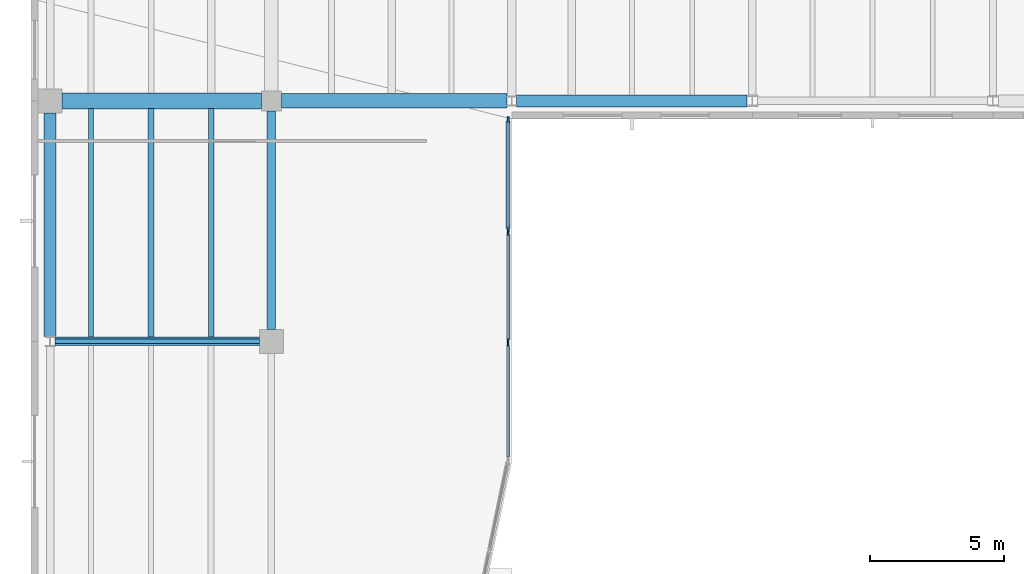
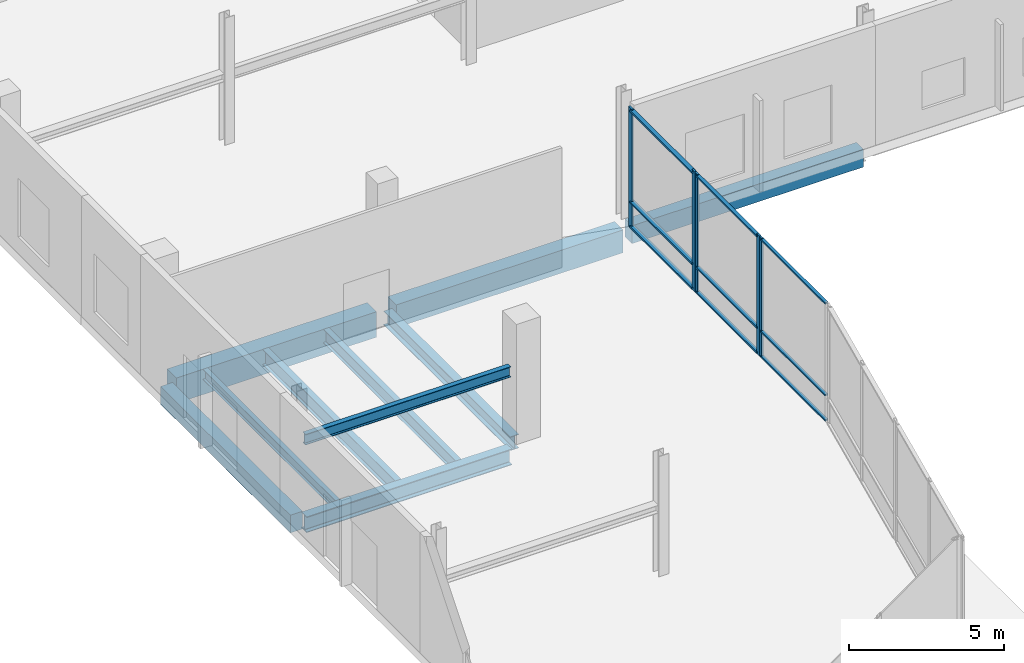
# One storey, part 22 of 88: 14 members, 10 beams, 3 elements without a shape of their own.
"""IFC4 building model written with IfcOpenShell, lengths in metres."""

from ifc_helpers import new_model, si_unit, direction, frame, origin, origin_2d, place, context, subcontext, project, spatial, rectangle, i_section, extrude, material, material_profile, profile_set, type_object, element, aggregate, save


model = new_model("IFC4")

# Units and contexts
model_context = context("Model", 3, precision=1e-05, world=origin(), true_north=direction((0.0, 1.0)))
body_context = subcontext(model_context, "Body", "Model", "MODEL_VIEW")
ifc_project = project(units=[si_unit("LENGTHUNIT", "METRE"), si_unit("AREAUNIT", "SQUARE_METRE"), si_unit("VOLUMEUNIT", "CUBIC_METRE"), si_unit("PLANEANGLEUNIT", "RADIAN"), si_unit("MASSUNIT", "GRAM", prefix="KILO")], contexts=[model_context])

# Site, building, storey
site_placement = place(None, origin())
site = spatial("IfcSite", under=ifc_project, at=site_placement, CompositionType="ELEMENT")
building_placement = place(site_placement, origin())
building = spatial("IfcBuilding", under=site, at=building_placement, Name="Trimount Lyric Opera House", CompositionType="ELEMENT")
storey_placement = place(building_placement, origin())
storey = spatial("IfcBuildingStorey", under=building, at=storey_placement, Name="L00", CompositionType="ELEMENT", Elevation=0.0)

# Beams
ifc_material_1 = material(Name="Steel ASTM A992 Grade 50", Category="steel")
ifc_material_profile_1 = material_profile(ifc_material_1, i_section(OverallWidth=0.327880859375, OverallDepth=0.626953125, WebThickness=0.0166015625, FlangeThickness=0.027587890625, FilletRadius=0.01611328125, at=origin_2d()), Name="W24X146")
ifc_profile_set_1 = profile_set([ifc_material_profile_1], Name="Steel ASTM A992 Grade 50")
beam_type_1 = type_object("IfcBeamType", Name="B-10", PredefinedType="BEAM", material=ifc_profile_set_1)
beam_1_placement = place(storey_placement, frame((0.906494140625, 35.0, -0.653564453125), z_axis=(1.0, 0.0, 0.0), x_axis=(0.0, 1.0, 0.0)))
element("IfcBeam", 1, at=beam_1_placement, inside=storey, type_object=beam_type_1, Name="L00 girder X-0069", PredefinedType="BEAM", context=body_context, shape_type="SweptSolid", body=[
    extrude(i_section(OverallWidth=0.327880859375, OverallDepth=0.626953125, WebThickness=0.0166015625, FlangeThickness=0.027587890625, FilletRadius=0.01611328125, at=origin_2d()), origin(), (0.0, 0.0, 1.0), 7.6435546875),
])
ifc_material_2 = material(Name="Steel ASTM A992 Grade 50", Category="steel")
ifc_material_profile_2 = material_profile(ifc_material_2, i_section(OverallWidth=0.31201171875, OverallDepth=0.5458984375, WebThickness=0.013916015625, FlangeThickness=0.022216796875, FilletRadius=0.014892578125, at=origin_2d()), Name="W21X111")
ifc_profile_set_2 = profile_set([ifc_material_profile_2], Name="Steel ASTM A992 Grade 50")
beam_type_2 = type_object("IfcBeamType", Name="B-12", PredefinedType="BEAM", material=ifc_profile_set_2)
beam_2_placement = place(storey_placement, frame((9.0, 35.449951171875, -0.613037109375), z_axis=(0.0, 1.0, 0.0), x_axis=(-1.0, 0.0, 0.0)))
element("IfcBeam", 2, at=beam_2_placement, inside=storey, type_object=beam_type_2, Name="L00 girder Y-0254", PredefinedType="BEAM", context=body_context, shape_type="SweptSolid", body=[
    extrude(i_section(OverallWidth=0.31201171875, OverallDepth=0.5458984375, WebThickness=0.013916015625, FlangeThickness=0.022216796875, FilletRadius=0.014892578125, at=origin_2d()), origin(), (0.0, 0.0, 1.0), 8.175048828125),
])
ifc_material_3 = material(Name="Concrete C40/50", Category="concrete")
ifc_material_profile_3 = material_profile(ifc_material_3, rectangle(XDim=0.60009765625, YDim=1.0, at=origin_2d()), Name="RC600X1000")
ifc_profile_set_3 = profile_set([ifc_material_profile_3], Name="Concrete C40/50")
beam_type_3 = type_object("IfcBeamType", Name="B-13", PredefinedType="BEAM", material=ifc_profile_set_3)
beam_3_placement = place(storey_placement, frame((1.169921875, 44.0, -0.840087890625), z_axis=(1.0, 0.0, 0.0), x_axis=(0.0, 1.0, 0.0)))
element("IfcBeam", 3, at=beam_3_placement, inside=storey, type_object=beam_type_3, Name="L00 girder X-0084", PredefinedType="BEAM", context=body_context, shape_type="SweptSolid", body=[
    extrude(rectangle(XDim=0.60009765625, YDim=1.0, at=origin_2d()), origin(), (0.0, 0.0, 1.0), 7.455078125),
])
ifc_material_4 = material(Name="Concrete C40/50", Category="concrete")
ifc_material_profile_4 = material_profile(ifc_material_4, rectangle(XDim=0.550048828125, YDim=0.89990234375, at=origin_2d()), Name="RC550X900")
ifc_profile_set_4 = profile_set([ifc_material_profile_4], Name="Concrete C40/50")
beam_type_4 = type_object("IfcBeamType", Name="B-14", PredefinedType="BEAM", material=ifc_profile_set_4)
beam_4_placement = place(storey_placement, frame((9.375, 44.0, -0.800048828125), z_axis=(1.0, 0.0, 0.0), x_axis=(0.0, 1.0, 0.0)))
element("IfcBeam", 4, at=beam_4_placement, inside=storey, type_object=beam_type_4, Name="L00 girder X-0085", PredefinedType="BEAM", context=body_context, shape_type="SweptSolid", body=[
    extrude(rectangle(XDim=0.550048828125, YDim=0.89990234375, at=origin_2d()), origin(), (0.0, 0.0, 1.0), 8.44091796875),
])
ifc_material_5 = material(Name="Steel ASTM A992 Grade 50", Category="steel")
ifc_material_profile_5 = material_profile(ifc_material_5, i_section(OverallWidth=0.22802734375, OverallDepth=0.60205078125, WebThickness=0.010498046875, FlangeThickness=0.014892578125, FilletRadius=0.012939453125, at=origin_2d()), Name="W24X68")
ifc_profile_set_5 = profile_set([ifc_material_profile_5], Name="Steel ASTM A992 Grade 50")
beam_type_5 = type_object("IfcBeamType", Name="J-01", PredefinedType="BEAM", material=ifc_profile_set_5)
beam_5_placement = place(storey_placement, frame((4.5, 35.159912109375, -0.64111328125), z_axis=(0.0, 1.0, 0.0), x_axis=(-1.0, 0.0, 0.0)))
element("IfcBeam", 5, at=beam_5_placement, inside=storey, type_object=beam_type_5, Name="L00 composite floor joist 0014", PredefinedType="BEAM", context=body_context, shape_type="SweptSolid", body=[
    extrude(i_section(OverallWidth=0.22802734375, OverallDepth=0.60205078125, WebThickness=0.010498046875, FlangeThickness=0.014892578125, FilletRadius=0.012939453125, at=origin_2d()), origin(), (0.0, 0.0, 1.0), 8.544189453125),
])
ifc_material_6 = material(Name="Steel ASTM A992 Grade 50", Category="steel")
ifc_material_profile_6 = material_profile(ifc_material_6, i_section(OverallWidth=0.2099609375, OverallDepth=0.532958984375, WebThickness=0.01025390625, FlangeThickness=0.015625, FilletRadius=0.012939453125, at=origin_2d()), Name="W21X62")
ifc_profile_set_6 = profile_set([ifc_material_profile_6], Name="Steel ASTM A992 Grade 50")
beam_type_6 = type_object("IfcBeamType", Name="J-02", PredefinedType="BEAM", material=ifc_profile_set_6)
beam_6_placement = place(storey_placement, frame((6.75, 35.159912109375, -0.6064453125), z_axis=(0.0, 1.0, 0.0), x_axis=(-1.0, 0.0, 0.0)))
element("IfcBeam", 6, at=beam_6_placement, inside=storey, type_object=beam_type_6, Name="L00 composite floor joist 0015", PredefinedType="BEAM", context=body_context, shape_type="SweptSolid", body=[
    extrude(i_section(OverallWidth=0.2099609375, OverallDepth=0.532958984375, WebThickness=0.01025390625, FlangeThickness=0.015625, FilletRadius=0.012939453125, at=origin_2d()), origin(), (0.0, 0.0, 1.0), 8.544189453125),
])
ifc_material_7 = material(Name="Steel ASTM A992 Grade 50", Category="steel")
ifc_material_profile_7 = material_profile(ifc_material_7, i_section(OverallWidth=0.177978515625, OverallDepth=0.404052734375, WebThickness=0.007568359375, FlangeThickness=0.010986328125, FilletRadius=0.010009765625, at=origin_2d()), Name="W16X36")
ifc_profile_set_7 = profile_set([ifc_material_profile_7], Name="Steel ASTM A992 Grade 50")
beam_type_7 = type_object("IfcBeamType", Name="J-06", PredefinedType="BEAM", material=ifc_profile_set_7)
beam_7_placement = place(storey_placement, frame((2.25, 35.159912109375, -0.5419921875), z_axis=(0.0, 1.0, 0.0), x_axis=(-1.0, 0.0, 0.0)))
element("IfcBeam", 7, at=beam_7_placement, inside=storey, type_object=beam_type_7, Name="L00 composite floor joist 0013", PredefinedType="BEAM", context=body_context, shape_type="SweptSolid", body=[
    extrude(i_section(OverallWidth=0.177978515625, OverallDepth=0.404052734375, WebThickness=0.007568359375, FlangeThickness=0.010986328125, FilletRadius=0.010009765625, at=origin_2d()), origin(), (0.0, 0.0, 1.0), 8.544189453125),
])
ifc_material_8 = material(Name="Steel ASTM A992 Grade 50", Category="steel")
ifc_material_profile_8 = material_profile(ifc_material_8, i_section(OverallWidth=0.180908203125, OverallDepth=0.4169921875, WebThickness=0.010986328125, FlangeThickness=0.018310546875, FilletRadius=0.010986328125, at=origin_2d()), Name="W16X57")
ifc_profile_set_8 = profile_set([ifc_material_profile_8], Name="Steel ASTM A992 Grade 50")
beam_type_8 = type_object("IfcBeamType", Name="LN-02", PredefinedType="LINTEL", material=ifc_profile_set_8)
beam_8_placement = place(storey_placement, frame((0.906494140625, 35.0, 2.64990234375), z_axis=(1.0, 0.0, 0.0), x_axis=(0.0, 1.0, 0.0)))
element("IfcBeam", 8, at=beam_8_placement, inside=storey, type_object=beam_type_8, Name="L00 interior portal lintel 02", PredefinedType="LINTEL", context=body_context, shape_type="SweptSolid", body=[
    extrude(i_section(OverallWidth=0.180908203125, OverallDepth=0.4169921875, WebThickness=0.010986328125, FlangeThickness=0.018310546875, FilletRadius=0.010986328125, at=origin_2d()), origin(), (0.0, 0.0, 1.0), 7.6435546875),
])

# Curtain wall, members
ifc_material_9 = material(Name="Thermally Broken Aluminium and Low-E Glass", Category="aluminium")
curtain_wall_type = type_object("IfcCurtainWallType", Name="CW-04", PredefinedType="NOTDEFINED", material=ifc_material_9)
curtain_wall_1_placement = place(storey_placement, origin())
curtain_wall_1 = element("IfcCurtainWall", 9, at=curtain_wall_1_placement, inside=storey, type_object=curtain_wall_type, Name="L00 curtain wall 033", PredefinedType="NOTDEFINED")
ifc_material_10 = material(Name="Anodised Aluminium 6063-T6", Category="aluminium")
ifc_material_profile_9 = material_profile(ifc_material_10, rectangle(XDim=0.070068359375, YDim=0.219970703125, at=origin_2d()), Name="ALU-MULL-70X220")
ifc_profile_set_9 = profile_set([ifc_material_profile_9], Name="Anodised Aluminium 6063-T6")
member_type_1 = type_object("IfcMemberType", Name="ML-01", PredefinedType="MULLION", material=ifc_profile_set_9)
member_1_placement = place(storey_placement, frame((17.860107421875, 43.284912109375, 0.0), z_axis=(0.0, 0.0, 1.0), x_axis=(1.0, 0.0, 0.0)))
member_1 = element("IfcMember", 10, at=member_1_placement, type_object=member_type_1, Name="CW-04 mullion 1", PredefinedType="MULLION", context=body_context, shape_type="SweptSolid", body=[
    extrude(rectangle(XDim=0.070068359375, YDim=0.219970703125, at=origin_2d()), origin(), (0.0, 0.0, 1.0), 4.719970703125),
])
member_2_placement = place(storey_placement, frame((17.860107421875, 39.195068359375, 0.0), z_axis=(0.0, 0.0, 1.0), x_axis=(1.0, 0.0, 0.0)))
member_2 = element("IfcMember", 11, at=member_2_placement, type_object=member_type_1, Name="CW-04 mullion 2", PredefinedType="MULLION", context=body_context, shape_type="SweptSolid", body=[
    extrude(rectangle(XDim=0.070068359375, YDim=0.219970703125, at=origin_2d()), origin(), (0.0, 0.0, 1.0), 4.719970703125),
])

curtain_wall_2_placement = place(storey_placement, origin())
curtain_wall_2 = element("IfcCurtainWall", 12, at=curtain_wall_2_placement, inside=storey, type_object=curtain_wall_type, Name="L00 curtain wall 034", PredefinedType="NOTDEFINED")
ifc_material_11 = material(Name="Anodised Aluminium 6063-T6", Category="aluminium")
ifc_material_profile_10 = material_profile(ifc_material_11, rectangle(XDim=0.06494140625, YDim=0.179931640625, at=origin_2d()), Name="ALU-MULL-65X180")
ifc_profile_set_10 = profile_set([ifc_material_profile_10], Name="Anodised Aluminium 6063-T6")
member_type_2 = type_object("IfcMemberType", Name="ML-02", PredefinedType="MULLION", material=ifc_profile_set_10)
member_3_placement = place(storey_placement, frame((17.860107421875, 39.03759765625, 0.0), z_axis=(0.0, 0.0, 1.0), x_axis=(1.0, 0.0, 0.0)))
member_3 = element("IfcMember", 13, at=member_3_placement, type_object=member_type_2, Name="CW-04 mullion 1", PredefinedType="MULLION", context=body_context, shape_type="SweptSolid", body=[
    extrude(rectangle(XDim=0.06494140625, YDim=0.179931640625, at=origin_2d()), origin(), (0.0, 0.0, 1.0), 4.719970703125),
])
member_4_placement = place(storey_placement, frame((17.860107421875, 35.032470703125, 0.0), z_axis=(0.0, 0.0, 1.0), x_axis=(1.0, 0.0, 0.0)))
member_4 = element("IfcMember", 14, at=member_4_placement, type_object=member_type_2, Name="CW-04 mullion 2", PredefinedType="MULLION", context=body_context, shape_type="SweptSolid", body=[
    extrude(rectangle(XDim=0.06494140625, YDim=0.179931640625, at=origin_2d()), origin(), (0.0, 0.0, 1.0), 4.719970703125),
])

# Curtain wall, member
curtain_wall_3_placement = place(storey_placement, origin())
curtain_wall_3 = element("IfcCurtainWall", 15, at=curtain_wall_3_placement, inside=storey, type_object=curtain_wall_type, Name="L00 curtain wall 035", PredefinedType="NOTDEFINED")
ifc_material_12 = material(Name="Anodised Aluminium 6063-T6", Category="aluminium")
ifc_material_profile_11 = material_profile(ifc_material_12, rectangle(XDim=0.06005859375, YDim=0.14990234375, at=origin_2d()), Name="ALU-MULL-60X150")
ifc_profile_set_11 = profile_set([ifc_material_profile_11], Name="Anodised Aluminium 6063-T6")
member_type_3 = type_object("IfcMemberType", Name="ML-03", PredefinedType="MULLION", material=ifc_profile_set_11)
member_5_placement = place(storey_placement, frame((17.860107421875, 34.8798828125, 0.0), z_axis=(0.0, 0.0, 1.0), x_axis=(1.0, 0.0, 0.0)))
member_5 = element("IfcMember", 16, at=member_5_placement, type_object=member_type_3, Name="CW-04 mullion 1", PredefinedType="MULLION", context=body_context, shape_type="SweptSolid", body=[
    extrude(rectangle(XDim=0.06005859375, YDim=0.14990234375, at=origin_2d()), origin(), (0.0, 0.0, 1.0), 4.719970703125),
])

# Beams
ifc_material_13 = material(Name="Concrete C40/50", Category="concrete")
ifc_material_profile_12 = material_profile(ifc_material_13, rectangle(XDim=0.449951171875, YDim=0.699951171875, at=origin_2d()), Name="RC450X700")
ifc_profile_set_12 = profile_set([ifc_material_profile_12], Name="Concrete C40/50")
beam_type_9 = type_object("IfcBeamType", Name="SP-02", PredefinedType="SPANDREL", material=ifc_profile_set_12)
beam_9_placement = place(storey_placement, frame((18.18408203125, 44.0, -0.699951171875), z_axis=(1.0, 0.0, 0.0), x_axis=(0.0, 1.0, 0.0)))
element("IfcBeam", 17, at=beam_9_placement, inside=storey, type_object=beam_type_9, Name="L00 girder X-0086", PredefinedType="SPANDREL", context=body_context, shape_type="SweptSolid", body=[
    extrude(rectangle(XDim=0.449951171875, YDim=0.699951171875, at=origin_2d()), origin(), (0.0, 0.0, 1.0), 8.613037109375),
])
beam_10_placement = place(storey_placement, frame((0.719970703125, 35.18408203125, -0.68994140625), z_axis=(0.0, 1.0, 0.0), x_axis=(-1.0, 0.0, 0.0)))
element("IfcBeam", 18, at=beam_10_placement, inside=storey, type_object=beam_type_9, Name="L00 girder Y-0241", PredefinedType="SPANDREL", context=body_context, shape_type="SweptSolid", body=[
    extrude(rectangle(XDim=0.449951171875, YDim=0.699951171875, at=origin_2d()), origin(), (0.0, 0.0, 1.0), 8.365966796875),
])

# Member
ifc_material_14 = material(Name="Anodised Aluminium 6063-T6", Category="aluminium")
ifc_material_profile_13 = material_profile(ifc_material_14, rectangle(XDim=0.159912109375, YDim=0.070068359375, at=origin_2d()), Name="ALU-TRAN-70X160")
ifc_profile_set_13 = profile_set([ifc_material_profile_13], Name="Anodised Aluminium 6063-T6")
member_type_4 = type_object("IfcMemberType", Name="TR-01", PredefinedType="USERDEFINED", material=ifc_profile_set_13)
member_6_placement = place(storey_placement, frame((17.860107421875, 43.25, 0.080078125), z_axis=(0.0, -1.0, 0.0), x_axis=(1.0, 0.0, 0.0)))
member_6 = element("IfcMember", 19, at=member_6_placement, type_object=member_type_4, Name="CW-04 transom 1.1", ObjectType="TRANSOM", PredefinedType="USERDEFINED", context=body_context, shape_type="SweptSolid", body=[
    extrude(rectangle(XDim=0.159912109375, YDim=0.070068359375, at=origin_2d()), origin(), (0.0, 0.0, 1.0), 4.02001953125),
])

member_7_placement = place(storey_placement, frame((17.860107421875, 43.25, 1.050048828125), z_axis=(0.0, -1.0, 0.0), x_axis=(1.0, 0.0, 0.0)))
member_7 = element("IfcMember", 20, at=member_7_placement, type_object=member_type_4, Name="CW-04 transom 1.2", ObjectType="TRANSOM", PredefinedType="USERDEFINED", context=body_context, shape_type="SweptSolid", body=[
    extrude(rectangle(XDim=0.159912109375, YDim=0.070068359375, at=origin_2d()), origin(), (0.0, 0.0, 1.0), 4.02001953125),
])

member_8_placement = place(storey_placement, frame((17.860107421875, 43.25, 4.639892578125), z_axis=(0.0, -1.0, 0.0), x_axis=(1.0, 0.0, 0.0)))
member_8 = element("IfcMember", 21, at=member_8_placement, type_object=member_type_4, Name="CW-04 transom 1.3", ObjectType="TRANSOM", PredefinedType="USERDEFINED", context=body_context, shape_type="SweptSolid", body=[
    extrude(rectangle(XDim=0.159912109375, YDim=0.070068359375, at=origin_2d()), origin(), (0.0, 0.0, 1.0), 4.02001953125),
])

aggregate(curtain_wall_1, [member_1, member_2, member_6, member_7, member_8])

ifc_material_15 = material(Name="Anodised Aluminium 6063-T6", Category="aluminium")
ifc_material_profile_14 = material_profile(ifc_material_15, rectangle(XDim=0.135009765625, YDim=0.06494140625, at=origin_2d()), Name="ALU-TRAN-65X135")
ifc_profile_set_14 = profile_set([ifc_material_profile_14], Name="Anodised Aluminium 6063-T6")
member_type_5 = type_object("IfcMemberType", Name="TR-02", PredefinedType="USERDEFINED", material=ifc_profile_set_14)
member_9_placement = place(storey_placement, frame((17.860107421875, 39.0048828125, 0.0673828125), z_axis=(0.0, -1.0, 0.0), x_axis=(1.0, 0.0, 0.0)))
member_9 = element("IfcMember", 22, at=member_9_placement, type_object=member_type_5, Name="CW-04 transom 1.1", ObjectType="TRANSOM", PredefinedType="USERDEFINED", context=body_context, shape_type="SweptSolid", body=[
    extrude(rectangle(XDim=0.135009765625, YDim=0.06494140625, at=origin_2d()), origin(), (0.0, 0.0, 1.0), 3.93994140625),
])

member_10_placement = place(storey_placement, frame((17.860107421875, 39.0048828125, 1.050048828125), z_axis=(0.0, -1.0, 0.0), x_axis=(1.0, 0.0, 0.0)))
member_10 = element("IfcMember", 23, at=member_10_placement, type_object=member_type_5, Name="CW-04 transom 1.2", ObjectType="TRANSOM", PredefinedType="USERDEFINED", context=body_context, shape_type="SweptSolid", body=[
    extrude(rectangle(XDim=0.135009765625, YDim=0.06494140625, at=origin_2d()), origin(), (0.0, 0.0, 1.0), 3.93994140625),
])

member_11_placement = place(storey_placement, frame((17.860107421875, 39.0048828125, 4.652587890625), z_axis=(0.0, -1.0, 0.0), x_axis=(1.0, 0.0, 0.0)))
member_11 = element("IfcMember", 24, at=member_11_placement, type_object=member_type_5, Name="CW-04 transom 1.3", ObjectType="TRANSOM", PredefinedType="USERDEFINED", context=body_context, shape_type="SweptSolid", body=[
    extrude(rectangle(XDim=0.135009765625, YDim=0.06494140625, at=origin_2d()), origin(), (0.0, 0.0, 1.0), 3.93994140625),
])

aggregate(curtain_wall_2, [member_3, member_4, member_9, member_10, member_11])

ifc_material_16 = material(Name="Anodised Aluminium 6063-T6", Category="aluminium")
ifc_material_profile_15 = material_profile(ifc_material_16, rectangle(XDim=0.114990234375, YDim=0.06005859375, at=origin_2d()), Name="ALU-TRAN-60X115")
ifc_profile_set_15 = profile_set([ifc_material_profile_15], Name="Anodised Aluminium 6063-T6")
member_type_6 = type_object("IfcMemberType", Name="TR-03", PredefinedType="USERDEFINED", material=ifc_profile_set_15)
member_12_placement = place(storey_placement, frame((17.860107421875, 34.85009765625, 0.0576171875), z_axis=(0.0, -1.0, 0.0), x_axis=(1.0, 0.0, 0.0)))
member_12 = element("IfcMember", 25, at=member_12_placement, type_object=member_type_6, Name="CW-04 transom 1.1", ObjectType="TRANSOM", PredefinedType="USERDEFINED", context=body_context, shape_type="SweptSolid", body=[
    extrude(rectangle(XDim=0.114990234375, YDim=0.06005859375, at=origin_2d()), origin(), (0.0, 0.0, 1.0), 4.172119140625),
])

member_13_placement = place(storey_placement, frame((17.860107421875, 34.85009765625, 1.050048828125), z_axis=(0.0, -1.0, 0.0), x_axis=(1.0, 0.0, 0.0)))
member_13 = element("IfcMember", 26, at=member_13_placement, type_object=member_type_6, Name="CW-04 transom 1.2", ObjectType="TRANSOM", PredefinedType="USERDEFINED", context=body_context, shape_type="SweptSolid", body=[
    extrude(rectangle(XDim=0.114990234375, YDim=0.06005859375, at=origin_2d()), origin(), (0.0, 0.0, 1.0), 4.172119140625),
])

member_14_placement = place(storey_placement, frame((17.860107421875, 34.85009765625, 4.66259765625), z_axis=(0.0, -1.0, 0.0), x_axis=(1.0, 0.0, 0.0)))
member_14 = element("IfcMember", 27, at=member_14_placement, type_object=member_type_6, Name="CW-04 transom 1.3", ObjectType="TRANSOM", PredefinedType="USERDEFINED", context=body_context, shape_type="SweptSolid", body=[
    extrude(rectangle(XDim=0.114990234375, YDim=0.06005859375, at=origin_2d()), origin(), (0.0, 0.0, 1.0), 4.172119140625),
])

aggregate(curtain_wall_3, [member_5, member_12, member_13, member_14])

save(model, "model.ifc")
